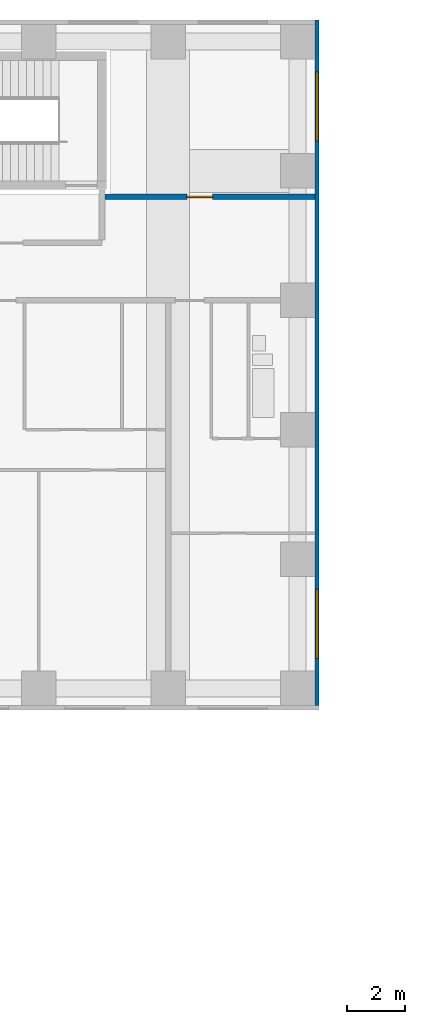
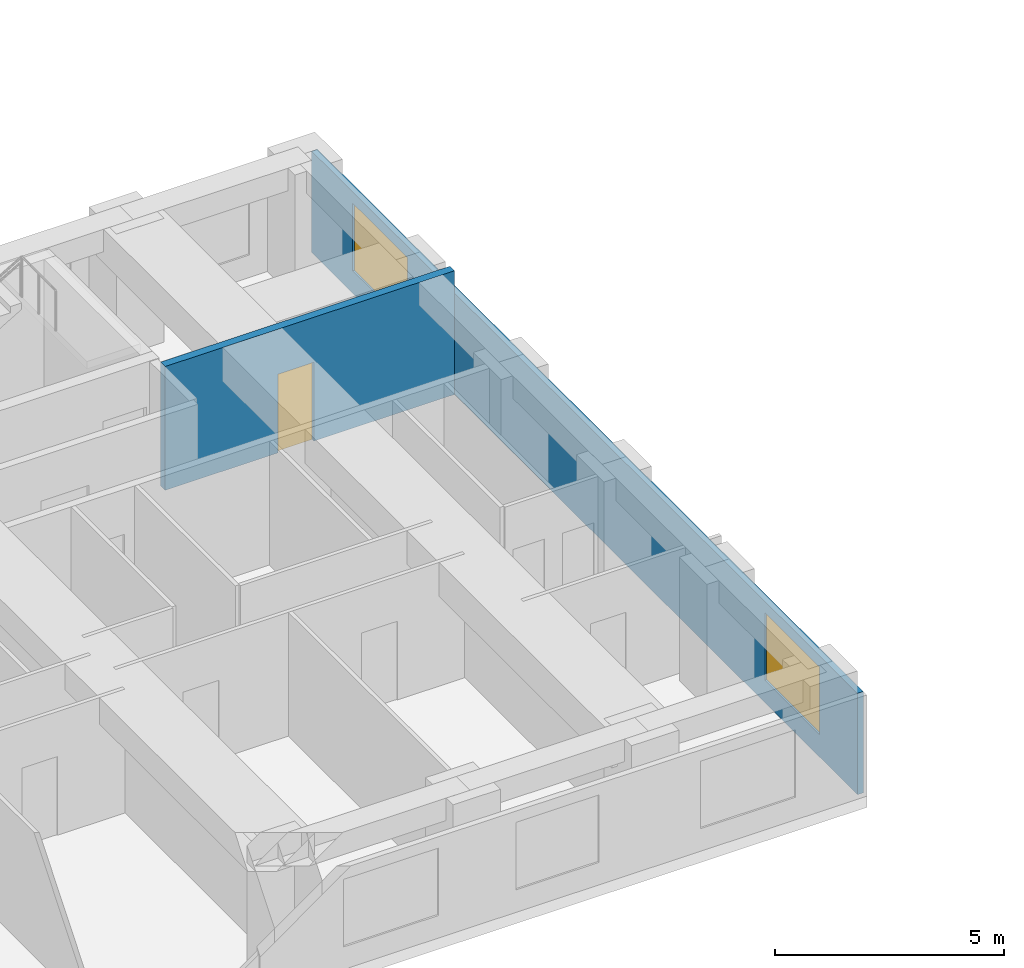
# One storey, part 11 of 14: 2 walls, 2 windows, 1 door, 3 openings.
"""IFC4 building model written with IfcOpenShell, lengths in metres."""

from ifc_helpers import new_model, si_unit, direction, frame, frame_2d, origin, place, context, subcontext, project, spatial, rectangle, extrude, material, layer, layer_set, type_object, element, fill, save


model = new_model("IFC4")

# Units and contexts
model_context = context("Model", 3, precision=1e-05, world=origin(), true_north=direction((0.0, 1.0)))
body_context = subcontext(model_context, "Body", "Model", "MODEL_VIEW")
ifc_project = project(units=[si_unit("LENGTHUNIT", "METRE"), si_unit("AREAUNIT", "SQUARE_METRE"), si_unit("VOLUMEUNIT", "CUBIC_METRE"), si_unit("PLANEANGLEUNIT", "RADIAN"), si_unit("MASSUNIT", "GRAM", prefix="KILO")], contexts=[model_context])

# Site, building, storey
site_placement = place(None, origin())
site = spatial("IfcSite", under=ifc_project, at=site_placement, CompositionType="ELEMENT")
building_placement = place(site_placement, origin())
building = spatial("IfcBuilding", under=site, at=building_placement, Name="Firuza Court", CompositionType="ELEMENT")
storey_placement = place(building_placement, frame((0.0, 0.0, 32.60009765625)))
storey = spatial("IfcBuildingStorey", under=building, at=storey_placement, Name="L06", CompositionType="ELEMENT", Elevation=32.60009765625)

# Wall, opening, door
ifc_material_1 = material(Name="Blockwork, plastered both sides", Category="masonry")
ifc_layer_1 = layer(ifc_material_1, 0.199951171875)
ifc_layer_set_1 = layer_set([ifc_layer_1], Name="Blockwork, plastered both sides")
wall_type_1 = type_object("IfcWallType", Name="Corridor wall 200", PredefinedType="PARTITIONING", material=ifc_layer_set_1)
wall_1_placement = place(storey_placement, frame((60.800048828125, 53.10009765625, 0.0), z_axis=(0.0, 0.0, 1.0), x_axis=(1.0, 0.0, 0.0)))
wall_1 = element("IfcWall", 1, at=wall_1_placement, inside=storey, type_object=wall_type_1, Name="Corridor wall 200 L06", PredefinedType="PARTITIONING", context=body_context, shape_type="SweptSolid", body=[
    extrude(rectangle(XDim=7.300048828125, YDim=0.199951171875, at=frame_2d((3.64990234375, 0.0))), origin(), (0.0, 0.0, 1.0), 3.2998046875),
])
opening_1_placement = place(wall_1_placement, frame((2.85009765625, 0.0, 0.0)))
opening_1 = element("IfcOpeningElement", 2, at=opening_1_placement, cuts=wall_1, Name="Opening D06074", PredefinedType="OPENING", context=body_context, shape_type="SweptSolid", body=[
    extrude(rectangle(XDim=0.89990234375, YDim=2.10009765625, at=frame_2d((0.449951171875, 1.050048828125))), frame((0.0, 0.11181640625, 0.0), z_axis=(0.0, -1.0, 0.0), x_axis=(1.0, 0.0, 0.0)), (0.0, 0.0, 1.0), 0.223876953125),
])
ifc_material_2 = material(Name="Timber door leaf in hardwood frame", Category="wood")
door_type = type_object("IfcDoorType", Name="Room door 900 EI 30", OperationType="SINGLE_SWING_LEFT", PredefinedType="DOOR", material=ifc_material_2)
door_placement = place(opening_1_placement, origin())
door = element("IfcDoor", 3, at=door_placement, inside=storey, type_object=door_type, Name="Meeting room door", OperationType="SINGLE_SWING_LEFT", OverallHeight=2.10009765625, OverallWidth=0.89990234375, PredefinedType="DOOR", context=body_context, shape_type="SweptSolid", body=[
    extrude(rectangle(XDim=0.89990234375, YDim=2.10009765625, at=frame_2d((0.449951171875, 1.050048828125))), frame((0.0, 0.02490234375, 0.0), z_axis=(0.0, -1.0, 0.0), x_axis=(1.0, 0.0, 0.0)), (0.0, 0.0, 1.0), 0.050048828125),
])
fill(opening_1, door)

# Wall, openings, windows
ifc_material_3 = material(Name="Ceramic tile", Category="ceramic")
ifc_layer_2 = layer(ifc_material_3, 0.02001953125)
ifc_material_4 = material(Name="Mineral wool insulation", Category="insulation")
ifc_layer_3 = layer(ifc_material_4, 0.050048828125)
ifc_material_5 = material(Name="Concrete C40/50 precast", Category="concrete")
ifc_layer_4 = layer(ifc_material_5, 0.080078125)
ifc_layer_set_2 = layer_set([ifc_layer_2, ifc_layer_3, ifc_layer_4], Name="Concrete C40/50 precast")
wall_type_2 = type_object("IfcWallType", Name="Precast cladding wall with turquoise TILE PANEL face 150", PredefinedType="STANDARD", material=ifc_layer_set_2)
wall_2_placement = place(storey_placement, frame((68.175048828125, 35.39990234375, 0.0), z_axis=(0.0, 0.0, 1.0), x_axis=(0.0, 1.0, 0.0)))
wall_2 = element("IfcWall", 4, at=wall_2_placement, inside=storey, type_object=wall_type_2, Name="Facade wall L06 E", PredefinedType="STANDARD", context=body_context, shape_type="SweptSolid", body=[
    extrude(rectangle(XDim=23.85009765625, YDim=0.14990234375, at=frame_2d((11.925048828125, 0.0))), origin(), (0.0, 0.0, 1.0), 2.699951171875),
])
opening_2_placement = place(wall_2_placement, frame((1.64990234375, 0.0, 0.60009765625)))
opening_2 = element("IfcOpeningElement", 5, at=opening_2_placement, cuts=wall_2, Name="Opening W1", PredefinedType="OPENING", context=body_context, shape_type="SweptSolid", body=[
    extrude(rectangle(XDim=2.39990234375, YDim=1.800048828125, at=frame_2d((1.199951171875, 0.89990234375))), frame((0.0, 0.0869140625, 0.0), z_axis=(0.0, -1.0, 0.0), x_axis=(1.0, 0.0, 0.0)), (0.0, 0.0, 1.0), 0.173828125),
])
opening_3_placement = place(wall_2_placement, frame((19.64990234375, 0.0, 0.60009765625)))
opening_3 = element("IfcOpeningElement", 6, at=opening_3_placement, cuts=wall_2, Name="Opening W1", PredefinedType="OPENING", context=body_context, shape_type="SweptSolid", body=[
    extrude(rectangle(XDim=2.39990234375, YDim=1.800048828125, at=frame_2d((1.199951171875, 0.89990234375))), frame((0.0, 0.0869140625, 0.0), z_axis=(0.0, -1.0, 0.0), x_axis=(1.0, 0.0, 0.0)), (0.0, 0.0, 1.0), 0.173828125),
])
ifc_material_6 = material(Name="Aluminium frame, triple clear glazing", Category="aluminium")
window_type = type_object("IfcWindowType", Name="Window W1 2400 x 1800", PartitioningType="SINGLE_PANEL", PredefinedType="WINDOW", material=ifc_material_6)
window_1_placement = place(opening_2_placement, origin())
window_1 = element("IfcWindow", 7, at=window_1_placement, inside=storey, type_object=window_type, Name="Window L06", OverallHeight=1.800048828125, OverallWidth=2.39990234375, PartitioningType="SINGLE_PANEL", PredefinedType="WINDOW", context=body_context, shape_type="SweptSolid", body=[
    extrude(rectangle(XDim=2.39990234375, YDim=1.800048828125, at=frame_2d((1.199951171875, 0.89990234375))), frame((0.0, 0.030029296875, 0.0), z_axis=(0.0, -1.0, 0.0), x_axis=(1.0, 0.0, 0.0)), (0.0, 0.0, 1.0), 0.06005859375),
])
fill(opening_2, window_1)
window_2_placement = place(opening_3_placement, origin())
window_2 = element("IfcWindow", 8, at=window_2_placement, inside=storey, type_object=window_type, Name="Window L06", OverallHeight=1.800048828125, OverallWidth=2.39990234375, PartitioningType="SINGLE_PANEL", PredefinedType="WINDOW", context=body_context, shape_type="SweptSolid", body=[
    extrude(rectangle(XDim=2.39990234375, YDim=1.800048828125, at=frame_2d((1.199951171875, 0.89990234375))), frame((0.0, 0.030029296875, 0.0), z_axis=(0.0, -1.0, 0.0), x_axis=(1.0, 0.0, 0.0)), (0.0, 0.0, 1.0), 0.06005859375),
])
fill(opening_3, window_2)

save(model, "model.ifc")
